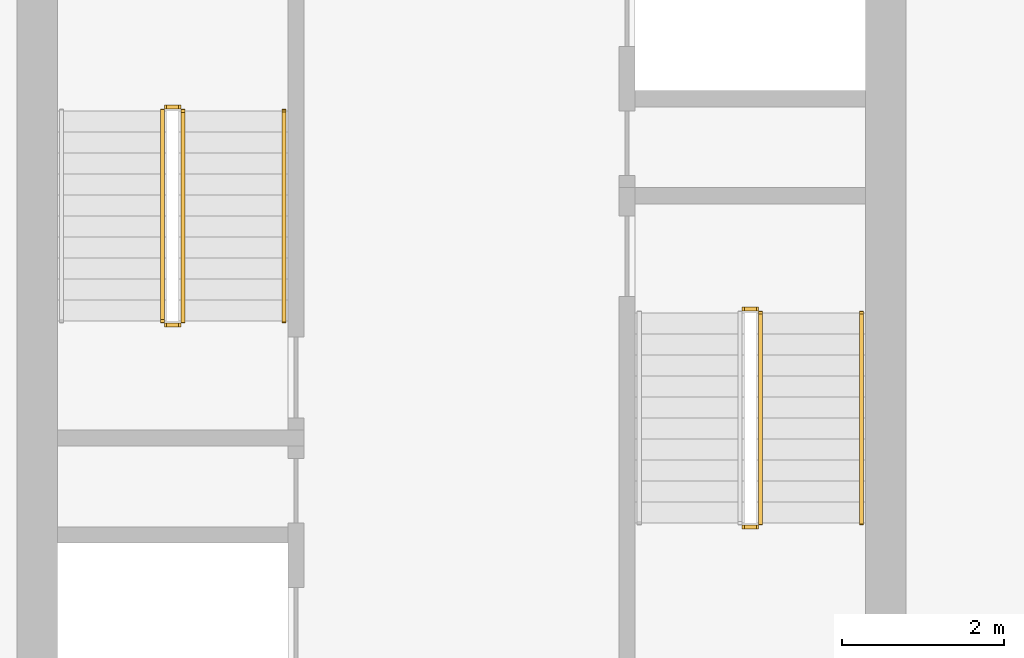
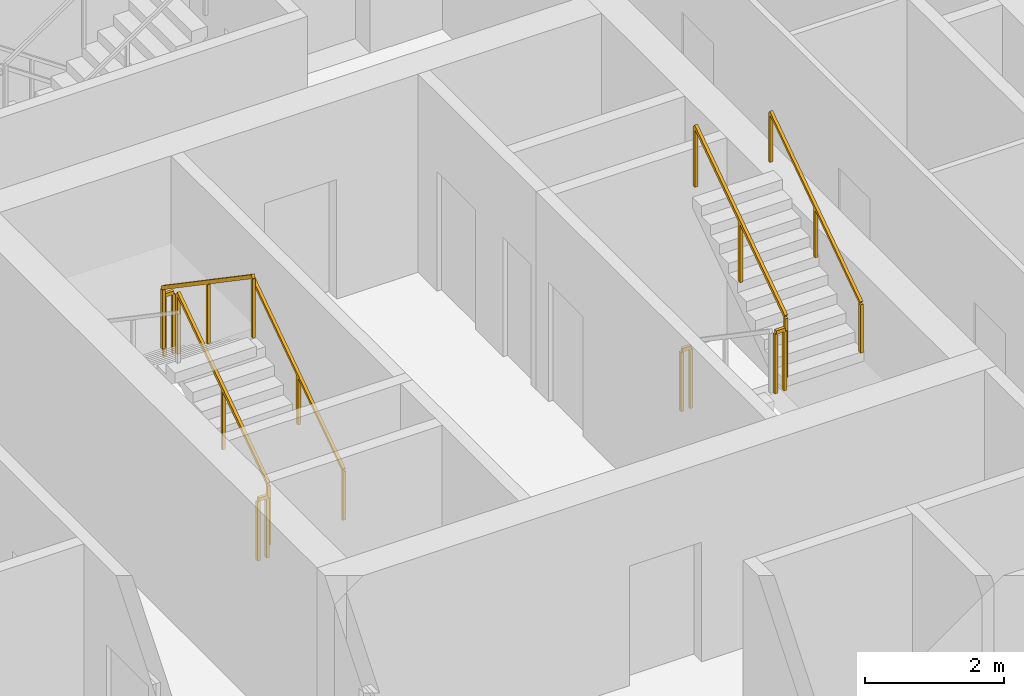
# One storey, part 11 of 14: 9 railings.
"""IFC4 building model written with IfcOpenShell, lengths in metres."""

from ifc_helpers import new_model, si_unit, direction, frame, origin, origin_2d, place, context, subcontext, project, spatial, rectangle, extrude, material, type_object, element, save


model = new_model("IFC4")

# Units and contexts
model_context = context("Model", 3, precision=1e-05, world=origin(), true_north=direction((0.0, 1.0)))
body_context = subcontext(model_context, "Body", "Model", "MODEL_VIEW")
ifc_project = project(units=[si_unit("LENGTHUNIT", "METRE"), si_unit("AREAUNIT", "SQUARE_METRE"), si_unit("VOLUMEUNIT", "CUBIC_METRE"), si_unit("PLANEANGLEUNIT", "RADIAN"), si_unit("MASSUNIT", "GRAM", prefix="KILO")], contexts=[model_context])

# Site, building, storey
site_placement = place(None, origin())
site = spatial("IfcSite", under=ifc_project, at=site_placement, CompositionType="ELEMENT")
building_placement = place(site_placement, origin())
building = spatial("IfcBuilding", under=site, at=building_placement, Name="Khepri Terraces", CompositionType="ELEMENT")
storey_placement = place(building_placement, frame((0.0, 0.0, 110.39990234375)))
storey = spatial("IfcBuildingStorey", under=building, at=storey_placement, Name="L26", CompositionType="ELEMENT", Elevation=110.39990234375)

# Railings
ifc_material = material(Name="Stainless steel 316", Category="steel")
railing_type_1 = type_object("IfcRailingType", Name="RL-CORE-GUARD", PredefinedType="GUARDRAIL", material=ifc_material)
railing_1_placement = place(storey_placement, frame((-3.449951171875, -0.050048828125, 0.177490234375)))
element("IfcRailing", 1, at=railing_1_placement, inside=storey, type_object=railing_type_1, Name="L26 ST-1 stair guard 1", PredefinedType="GUARDRAIL", context=body_context, shape_type="SweptSolid", body=[
    extrude(rectangle(XDim=0.050048828125, YDim=0.06005859375, at=origin_2d()), frame((0.0, 0.0, 1.070068359375), z_axis=(0.0, 0.826240473404, 0.563317565952), x_axis=(-1.0, 0.0, 0.0)), (0.0, 0.0, 1.0), 3.14697265625),
    extrude(rectangle(XDim=0.050048828125, YDim=0.050048828125, at=origin_2d()), origin(), (0.0, 0.0, 1.0), 1.0400390625),
    extrude(rectangle(XDim=0.050048828125, YDim=0.050048828125, at=origin_2d()), frame((0.0, 1.300048828125, 0.88623046875)), (0.0, 0.0, 1.0), 1.0400390625),
    extrude(rectangle(XDim=0.050048828125, YDim=0.050048828125, at=origin_2d()), frame((0.0, 2.60009765625, 1.772705078125)), (0.0, 0.0, 1.0), 1.0400390625),
])
railing_2_placement = place(storey_placement, frame((-3.5, 2.60009765625, 1.9501953125)))
element("IfcRailing", 2, at=railing_2_placement, inside=storey, type_object=railing_type_1, Name="L26 ST-1 stair guard 2", PredefinedType="GUARDRAIL", context=body_context, shape_type="SweptSolid", body=[
    extrude(rectangle(XDim=0.050048828125, YDim=0.06005859375, at=origin_2d()), frame((0.0, 0.0, 1.070068359375), z_axis=(-1.0, 0.0, 0.0), x_axis=(0.0, -1.0, 0.0)), (0.0, 0.0, 1.0), 0.14990234375),
    extrude(rectangle(XDim=0.050048828125, YDim=0.050048828125, at=origin_2d()), origin(), (0.0, 0.0, 1.0), 1.0400390625),
    extrude(rectangle(XDim=0.050048828125, YDim=0.050048828125, at=origin_2d()), frame((-0.14990234375, 0.0, 0.0)), (0.0, 0.0, 1.0), 1.0400390625),
])
railing_3_placement = place(storey_placement, frame((-3.699951171875, 2.550048828125, 2.12744140625)))
element("IfcRailing", 3, at=railing_3_placement, inside=storey, type_object=railing_type_1, Name="L26 ST-1 stair guard 3", PredefinedType="GUARDRAIL", context=body_context, shape_type="SweptSolid", body=[
    extrude(rectangle(XDim=0.050048828125, YDim=0.06005859375, at=origin_2d()), frame((0.0, 0.0, 1.070068359375), z_axis=(0.0, -0.826240473404, 0.563317565952), x_axis=(1.0, 0.0, 0.0)), (0.0, 0.0, 1.0), 3.14697265625),
    extrude(rectangle(XDim=0.050048828125, YDim=0.050048828125, at=origin_2d()), origin(), (0.0, 0.0, 1.0), 1.0400390625),
    extrude(rectangle(XDim=0.050048828125, YDim=0.050048828125, at=origin_2d()), frame((0.0, -1.300048828125, 0.88623046875)), (0.0, 0.0, 1.0), 1.0400390625),
    extrude(rectangle(XDim=0.050048828125, YDim=0.050048828125, at=origin_2d()), frame((0.0, -2.60009765625, 1.772705078125)), (0.0, 0.0, 1.0), 1.0400390625),
])
railing_4_placement = place(storey_placement, frame((-3.5, -0.10009765625, 0.0)))
element("IfcRailing", 4, at=railing_4_placement, inside=storey, type_object=railing_type_1, Name="L26 ST-1 stair guard 4", PredefinedType="GUARDRAIL", context=body_context, shape_type="SweptSolid", body=[
    extrude(rectangle(XDim=0.050048828125, YDim=0.06005859375, at=origin_2d()), frame((0.0, 0.0, 1.070068359375), z_axis=(-1.0, 0.0, 0.0), x_axis=(0.0, -1.0, 0.0)), (0.0, 0.0, 1.0), 0.14990234375),
    extrude(rectangle(XDim=0.050048828125, YDim=0.050048828125, at=origin_2d()), origin(), (0.0, 0.0, 1.0), 1.0400390625),
    extrude(rectangle(XDim=0.050048828125, YDim=0.050048828125, at=origin_2d()), frame((-0.14990234375, 0.0, 0.0)), (0.0, 0.0, 1.0), 1.0400390625),
])
railing_5_placement = place(storey_placement, frame((3.5, -2.60009765625, 1.9501953125)))
element("IfcRailing", 5, at=railing_5_placement, inside=storey, type_object=railing_type_1, Name="L26 ST-2 stair guard 2", PredefinedType="GUARDRAIL", context=body_context, shape_type="SweptSolid", body=[
    extrude(rectangle(XDim=0.050048828125, YDim=0.06005859375, at=origin_2d()), frame((0.0, 0.0, 1.070068359375), z_axis=(1.0, 0.0, 0.0), x_axis=(0.0, 1.0, 0.0)), (0.0, 0.0, 1.0), 0.14990234375),
    extrude(rectangle(XDim=0.050048828125, YDim=0.050048828125, at=origin_2d()), origin(), (0.0, 0.0, 1.0), 1.0400390625),
    extrude(rectangle(XDim=0.050048828125, YDim=0.050048828125, at=origin_2d()), frame((0.14990234375, 0.0, 0.0)), (0.0, 0.0, 1.0), 1.0400390625),
])
railing_6_placement = place(storey_placement, frame((3.699951171875, -2.550048828125, 2.12744140625)))
element("IfcRailing", 6, at=railing_6_placement, inside=storey, type_object=railing_type_1, Name="L26 ST-2 stair guard 3", PredefinedType="GUARDRAIL", context=body_context, shape_type="SweptSolid", body=[
    extrude(rectangle(XDim=0.050048828125, YDim=0.06005859375, at=origin_2d()), frame((0.0, 0.0, 1.070068359375), z_axis=(0.0, 0.826240473404, 0.563317565952), x_axis=(-1.0, 0.0, 0.0)), (0.0, 0.0, 1.0), 3.14697265625),
    extrude(rectangle(XDim=0.050048828125, YDim=0.050048828125, at=origin_2d()), origin(), (0.0, 0.0, 1.0), 1.0400390625),
    extrude(rectangle(XDim=0.050048828125, YDim=0.050048828125, at=origin_2d()), frame((0.0, 1.300048828125, 0.88623046875)), (0.0, 0.0, 1.0), 1.0400390625),
    extrude(rectangle(XDim=0.050048828125, YDim=0.050048828125, at=origin_2d()), frame((0.0, 2.60009765625, 1.772705078125)), (0.0, 0.0, 1.0), 1.0400390625),
])
railing_7_placement = place(storey_placement, frame((3.5, 0.10009765625, 0.0)))
element("IfcRailing", 7, at=railing_7_placement, inside=storey, type_object=railing_type_1, Name="L26 ST-2 stair guard 4", PredefinedType="GUARDRAIL", context=body_context, shape_type="SweptSolid", body=[
    extrude(rectangle(XDim=0.050048828125, YDim=0.06005859375, at=origin_2d()), frame((0.0, 0.0, 1.070068359375), z_axis=(1.0, 0.0, 0.0), x_axis=(0.0, 1.0, 0.0)), (0.0, 0.0, 1.0), 0.14990234375),
    extrude(rectangle(XDim=0.050048828125, YDim=0.050048828125, at=origin_2d()), origin(), (0.0, 0.0, 1.0), 1.0400390625),
    extrude(rectangle(XDim=0.050048828125, YDim=0.050048828125, at=origin_2d()), frame((0.14990234375, 0.0, 0.0)), (0.0, 0.0, 1.0), 1.0400390625),
])
railing_type_2 = type_object("IfcRailingType", Name="RL-CORE-HANDRAIL", PredefinedType="HANDRAIL", material=ifc_material)
for number, where, name in (
    (8, (-2.199951171875, -0.050048828125, 0.177490234375), "L26 ST-1 stair handrail 1"),
    (9, (4.949951171875, -2.550048828125, 2.12744140625), "L26 ST-2 stair handrail 2"),
):
    element("IfcRailing", number, at=place(storey_placement, frame(where)), inside=storey, type_object=railing_type_2, Name=name, PredefinedType="HANDRAIL", context=body_context, shape_type="SweptSolid", body=[
        extrude(rectangle(XDim=0.050048828125, YDim=0.050048828125, at=origin_2d()), frame((0.0, 0.0, 0.875), z_axis=(0.0, 0.826240473404, 0.563317565952), x_axis=(-1.0, 0.0, 0.0)), (0.0, 0.0, 1.0), 3.14697265625),
        extrude(rectangle(XDim=0.050048828125, YDim=0.050048828125, at=origin_2d()), origin(), (0.0, 0.0, 1.0), 0.849853515625),
        extrude(rectangle(XDim=0.050048828125, YDim=0.050048828125, at=origin_2d()), frame((0.0, 1.300048828125, 0.88623046875)), (0.0, 0.0, 1.0), 0.849853515625),
        extrude(rectangle(XDim=0.050048828125, YDim=0.050048828125, at=origin_2d()), frame((0.0, 2.60009765625, 1.772705078125)), (0.0, 0.0, 1.0), 0.849853515625),
    ])

save(model, "model.ifc")
